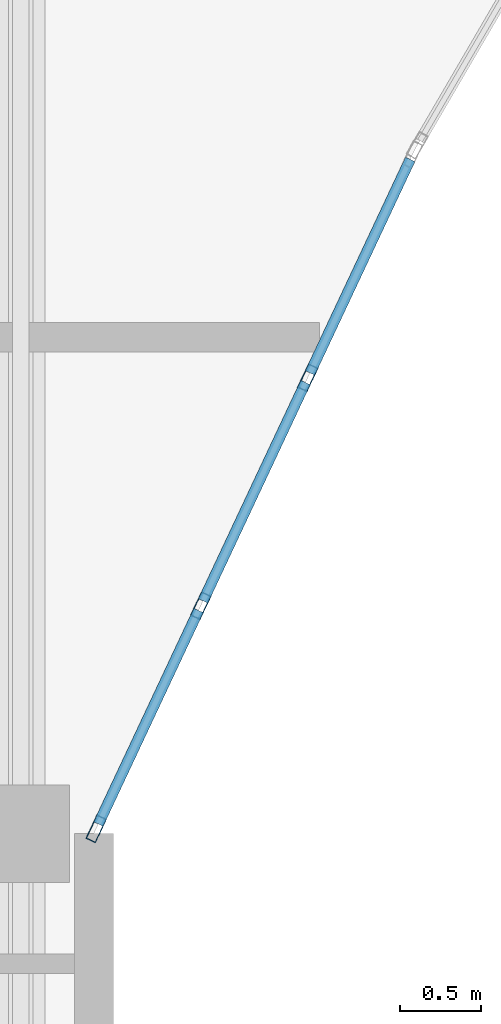
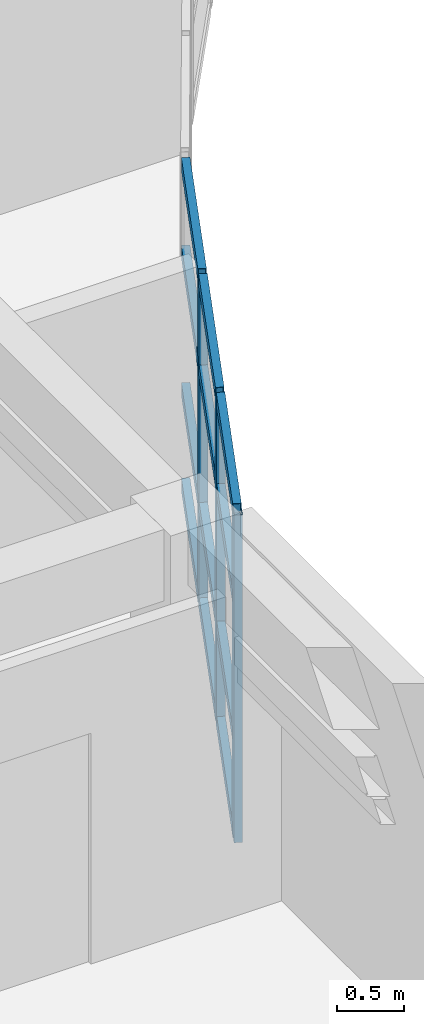
# One storey, part 6 of 79: 15 members, 1 element without a shape of its own.
"""IFC4 building model written with IfcOpenShell, lengths in metres."""

from ifc_helpers import new_model, si_unit, direction, frame, origin, origin_2d, place, context, subcontext, project, spatial, hollow_rectangle, extrude, material, layer, layer_set, material_profile, profile_set, type_object, element, aggregate, save


model = new_model("IFC4")

# Units and contexts
model_context = context("Model", 3, precision=1e-05, world=origin(), true_north=direction((0.0, 1.0)))
body_context = subcontext(model_context, "Body", "Model", "MODEL_VIEW")
ifc_project = project(units=[si_unit("LENGTHUNIT", "METRE"), si_unit("AREAUNIT", "SQUARE_METRE"), si_unit("VOLUMEUNIT", "CUBIC_METRE"), si_unit("PLANEANGLEUNIT", "RADIAN"), si_unit("MASSUNIT", "GRAM", prefix="KILO")], contexts=[model_context])

# Site, building, storey
site_placement = place(None, origin())
site = spatial("IfcSite", under=ifc_project, at=site_placement, CompositionType="ELEMENT")
building_placement = place(site_placement, origin())
building = spatial("IfcBuilding", under=site, at=building_placement, Name="Keldmere Railside Commons", CompositionType="ELEMENT")
storey_placement = place(building_placement, frame((0.0, 0.0, 10.56005859375)))
storey = spatial("IfcBuildingStorey", under=building, at=storey_placement, Name="L03", CompositionType="ELEMENT", Elevation=10.56005859375)

# Curtain wall, members
ifc_material = material(Name="Thermally Broken Aluminium", Category="aluminium")
ifc_layer = layer(ifc_material, 0.159912109375, Name="Court Chord Wintergarden CW 4800x2850")
ifc_layer_set = layer_set([ifc_layer], Name="Thermally Broken Aluminium")
curtain_wall_type = type_object("IfcCurtainWallType", Name="Court Chord Wintergarden CW 4800x2850", PredefinedType="NOTDEFINED", material=ifc_layer_set)
curtain_wall_placement = place(storey_placement, origin())
curtain_wall = element("IfcCurtainWall", 1, at=curtain_wall_placement, inside=storey, type_object=curtain_wall_type, Name="CW-12 CW-L03-010", PredefinedType="NOTDEFINED")
ifc_material_profile_1 = material_profile(ifc_material, hollow_rectangle(XDim=0.06494140625, YDim=0.159912109375, WallThickness=0.00390625, at=origin_2d()), Name="ALU-MULL-65x160")
ifc_profile_set_1 = profile_set([ifc_material_profile_1], Name="Thermally Broken Aluminium")
member_type_1 = type_object("IfcMemberType", Name="Unitised Curtain Wall Mullion 65x160", PredefinedType="MULLION", material=ifc_profile_set_1)
member_1_placement = place(storey_placement, frame((25.314697265625, 90.802001953125, 0.0), z_axis=(0.0, 0.0, 1.0), x_axis=(0.905306255478, -0.424759442264, 0.0)))
member_1 = element("IfcMember", 2, at=member_1_placement, type_object=member_type_1, Name="CW-12 mullion 2", PredefinedType="MULLION", context=body_context, shape_type="SweptSolid", body=[
    extrude(hollow_rectangle(XDim=0.06494140625, YDim=0.159912109375, WallThickness=0.00390625, at=origin_2d()), origin(), (0.0, 0.0, 1.0), 2.97998046875),
])
member_2_placement = place(storey_placement, frame((24.6572265625, 89.40087890625, 0.0), z_axis=(0.0, 0.0, 1.0), x_axis=(0.905306255478, -0.424759442264, 0.0)))
member_2 = element("IfcMember", 3, at=member_2_placement, type_object=member_type_1, Name="CW-12 mullion 3", PredefinedType="MULLION", context=body_context, shape_type="SweptSolid", body=[
    extrude(hollow_rectangle(XDim=0.06494140625, YDim=0.159912109375, WallThickness=0.00390625, at=origin_2d()), origin(), (0.0, 0.0, 1.0), 2.97998046875),
])
member_3_placement = place(storey_placement, frame((24.013916015625, 88.029541015625, 0.0), z_axis=(0.0, 0.0, 1.0), x_axis=(0.905306255478, -0.424759442264, 0.0)))
member_3 = element("IfcMember", 4, at=member_3_placement, type_object=member_type_1, Name="CW-12 mullion 4", PredefinedType="MULLION", context=body_context, shape_type="SweptSolid", body=[
    extrude(hollow_rectangle(XDim=0.06494140625, YDim=0.159912109375, WallThickness=0.00390625, at=origin_2d()), origin(), (0.0, 0.0, 1.0), 2.97998046875),
])
ifc_material_profile_2 = material_profile(ifc_material, hollow_rectangle(XDim=0.06494140625, YDim=0.1201171875, WallThickness=0.00390625, at=origin_2d()), Name="ALU-TRAN-65x120")
ifc_profile_set_2 = profile_set([ifc_material_profile_2], Name="Thermally Broken Aluminium")
member_type_2 = type_object("IfcMemberType", Name="Unitised Curtain Wall Transom 65x120", PredefinedType="USERDEFINED", material=ifc_profile_set_2)
member_4_placement = place(storey_placement, frame((25.9443359375, 92.14404296875, 0.032470703125), z_axis=(-0.424847998455, -0.905264700631, 0.0), x_axis=(0.905264700631, -0.424847998455, 0.0)))
member_4 = element("IfcMember", 5, at=member_4_placement, type_object=member_type_2, Name="CW-12 transom 1.1", ObjectType="TRANSOM", PredefinedType="USERDEFINED", context=body_context, shape_type="SweptSolid", body=[
    extrude(hollow_rectangle(XDim=0.06494140625, YDim=0.1201171875, WallThickness=0.00390625, at=origin_2d()), origin(), (0.0, 0.0, 1.0), 1.449951171875),
])
member_5_placement = place(storey_placement, frame((25.9443359375, 92.14404296875, 0.89990234375), z_axis=(-0.424847998455, -0.905264700631, 0.0), x_axis=(0.905264700631, -0.424847998455, 0.0)))
member_5 = element("IfcMember", 6, at=member_5_placement, type_object=member_type_2, Name="CW-12 transom 1.2", ObjectType="TRANSOM", PredefinedType="USERDEFINED", context=body_context, shape_type="SweptSolid", body=[
    extrude(hollow_rectangle(XDim=0.06494140625, YDim=0.1201171875, WallThickness=0.00390625, at=origin_2d()), origin(), (0.0, 0.0, 1.0), 1.449951171875),
])
member_6_placement = place(storey_placement, frame((25.9443359375, 92.14404296875, 2.14990234375), z_axis=(-0.424847998455, -0.905264700631, 0.0), x_axis=(0.905264700631, -0.424847998455, 0.0)))
member_6 = element("IfcMember", 7, at=member_6_placement, type_object=member_type_2, Name="CW-12 transom 1.3", ObjectType="TRANSOM", PredefinedType="USERDEFINED", context=body_context, shape_type="SweptSolid", body=[
    extrude(hollow_rectangle(XDim=0.06494140625, YDim=0.1201171875, WallThickness=0.00390625, at=origin_2d()), origin(), (0.0, 0.0, 1.0), 1.449951171875),
])
member_7_placement = place(storey_placement, frame((25.9443359375, 92.14404296875, 2.947509765625), z_axis=(-0.424847998455, -0.905264700631, 0.0), x_axis=(0.905264700631, -0.424847998455, 0.0)))
member_7 = element("IfcMember", 8, at=member_7_placement, type_object=member_type_2, Name="CW-12 transom 1.4", ObjectType="TRANSOM", PredefinedType="USERDEFINED", context=body_context, shape_type="SweptSolid", body=[
    extrude(hollow_rectangle(XDim=0.06494140625, YDim=0.1201171875, WallThickness=0.00390625, at=origin_2d()), origin(), (0.0, 0.0, 1.0), 1.449951171875),
])
member_8_placement = place(storey_placement, frame((25.30078125, 90.7724609375, 0.032470703125), z_axis=(-0.424741875375, -0.905314497455, 0.0), x_axis=(0.905314497455, -0.424741875375, 0.0)))
member_8 = element("IfcMember", 9, at=member_8_placement, type_object=member_type_2, Name="CW-12 transom 2.1", ObjectType="TRANSOM", PredefinedType="USERDEFINED", context=body_context, shape_type="SweptSolid", body=[
    extrude(hollow_rectangle(XDim=0.06494140625, YDim=0.1201171875, WallThickness=0.00390625, at=origin_2d()), origin(), (0.0, 0.0, 1.0), 1.482421875),
])
member_9_placement = place(storey_placement, frame((25.30078125, 90.7724609375, 0.89990234375), z_axis=(-0.424741875375, -0.905314497455, 0.0), x_axis=(0.905314497455, -0.424741875375, 0.0)))
member_9 = element("IfcMember", 10, at=member_9_placement, type_object=member_type_2, Name="CW-12 transom 2.2", ObjectType="TRANSOM", PredefinedType="USERDEFINED", context=body_context, shape_type="SweptSolid", body=[
    extrude(hollow_rectangle(XDim=0.06494140625, YDim=0.1201171875, WallThickness=0.00390625, at=origin_2d()), origin(), (0.0, 0.0, 1.0), 1.482421875),
])
member_10_placement = place(storey_placement, frame((25.30078125, 90.7724609375, 2.14990234375), z_axis=(-0.424741875375, -0.905314497455, 0.0), x_axis=(0.905314497455, -0.424741875375, 0.0)))
member_10 = element("IfcMember", 11, at=member_10_placement, type_object=member_type_2, Name="CW-12 transom 2.3", ObjectType="TRANSOM", PredefinedType="USERDEFINED", context=body_context, shape_type="SweptSolid", body=[
    extrude(hollow_rectangle(XDim=0.06494140625, YDim=0.1201171875, WallThickness=0.00390625, at=origin_2d()), origin(), (0.0, 0.0, 1.0), 1.482421875),
])
member_11_placement = place(storey_placement, frame((25.30078125, 90.7724609375, 2.947509765625), z_axis=(-0.424741875375, -0.905314497455, 0.0), x_axis=(0.905314497455, -0.424741875375, 0.0)))
member_11 = element("IfcMember", 12, at=member_11_placement, type_object=member_type_2, Name="CW-12 transom 2.4", ObjectType="TRANSOM", PredefinedType="USERDEFINED", context=body_context, shape_type="SweptSolid", body=[
    extrude(hollow_rectangle(XDim=0.06494140625, YDim=0.1201171875, WallThickness=0.00390625, at=origin_2d()), origin(), (0.0, 0.0, 1.0), 1.482421875),
])
member_12_placement = place(storey_placement, frame((24.6435546875, 89.37158203125, 0.032470703125), z_axis=(-0.424783244458, -0.905295087376, 0.0), x_axis=(0.905295087376, -0.424783244458, 0.0)))
member_12 = element("IfcMember", 13, at=member_12_placement, type_object=member_type_2, Name="CW-12 transom 3.1", ObjectType="TRANSOM", PredefinedType="USERDEFINED", context=body_context, shape_type="SweptSolid", body=[
    extrude(hollow_rectangle(XDim=0.06494140625, YDim=0.1201171875, WallThickness=0.00390625, at=origin_2d()), origin(), (0.0, 0.0, 1.0), 1.449951171875),
])
member_13_placement = place(storey_placement, frame((24.6435546875, 89.37158203125, 0.89990234375), z_axis=(-0.424783244458, -0.905295087376, 0.0), x_axis=(0.905295087376, -0.424783244458, 0.0)))
member_13 = element("IfcMember", 14, at=member_13_placement, type_object=member_type_2, Name="CW-12 transom 3.2", ObjectType="TRANSOM", PredefinedType="USERDEFINED", context=body_context, shape_type="SweptSolid", body=[
    extrude(hollow_rectangle(XDim=0.06494140625, YDim=0.1201171875, WallThickness=0.00390625, at=origin_2d()), origin(), (0.0, 0.0, 1.0), 1.449951171875),
])
member_14_placement = place(storey_placement, frame((24.6435546875, 89.37158203125, 2.14990234375), z_axis=(-0.424783244458, -0.905295087376, 0.0), x_axis=(0.905295087376, -0.424783244458, 0.0)))
member_14 = element("IfcMember", 15, at=member_14_placement, type_object=member_type_2, Name="CW-12 transom 3.3", ObjectType="TRANSOM", PredefinedType="USERDEFINED", context=body_context, shape_type="SweptSolid", body=[
    extrude(hollow_rectangle(XDim=0.06494140625, YDim=0.1201171875, WallThickness=0.00390625, at=origin_2d()), origin(), (0.0, 0.0, 1.0), 1.449951171875),
])
member_15_placement = place(storey_placement, frame((24.6435546875, 89.37158203125, 2.947509765625), z_axis=(-0.424783244458, -0.905295087376, 0.0), x_axis=(0.905295087376, -0.424783244458, 0.0)))
member_15 = element("IfcMember", 16, at=member_15_placement, type_object=member_type_2, Name="CW-12 transom 3.4", ObjectType="TRANSOM", PredefinedType="USERDEFINED", context=body_context, shape_type="SweptSolid", body=[
    extrude(hollow_rectangle(XDim=0.06494140625, YDim=0.1201171875, WallThickness=0.00390625, at=origin_2d()), origin(), (0.0, 0.0, 1.0), 1.449951171875),
])
aggregate(curtain_wall, [member_1, member_2, member_3, member_4, member_5, member_6, member_7, member_8, member_9, member_10, member_11, member_12, member_13, member_14, member_15])

save(model, "model.ifc")
